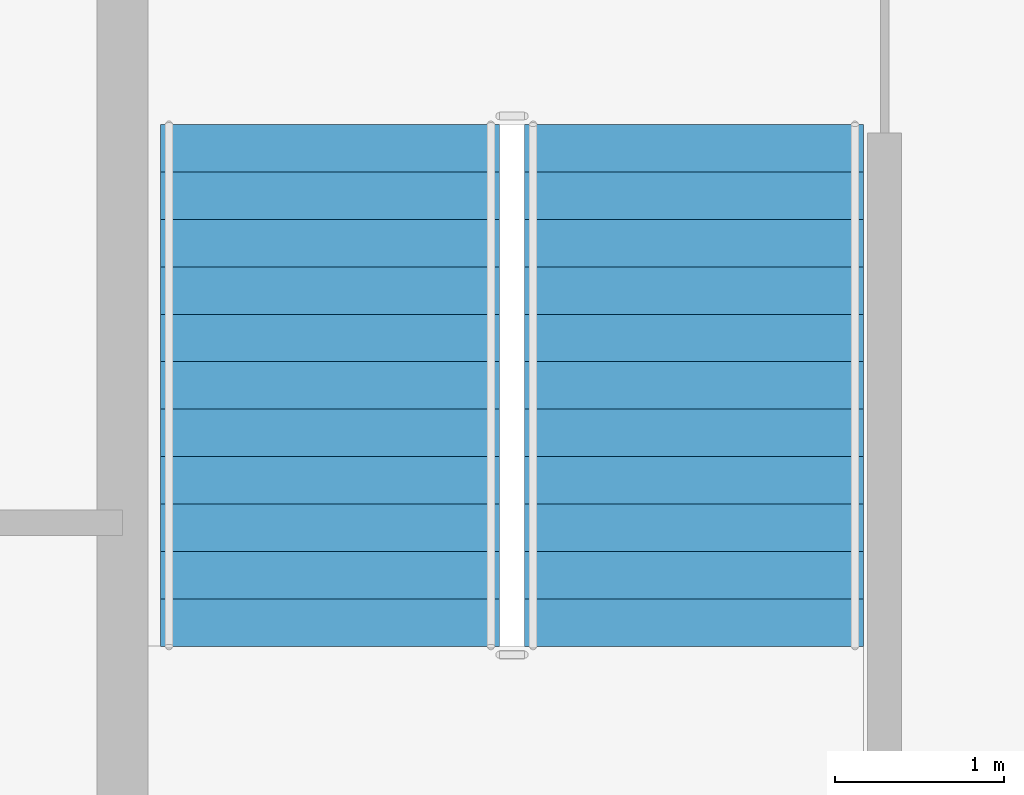
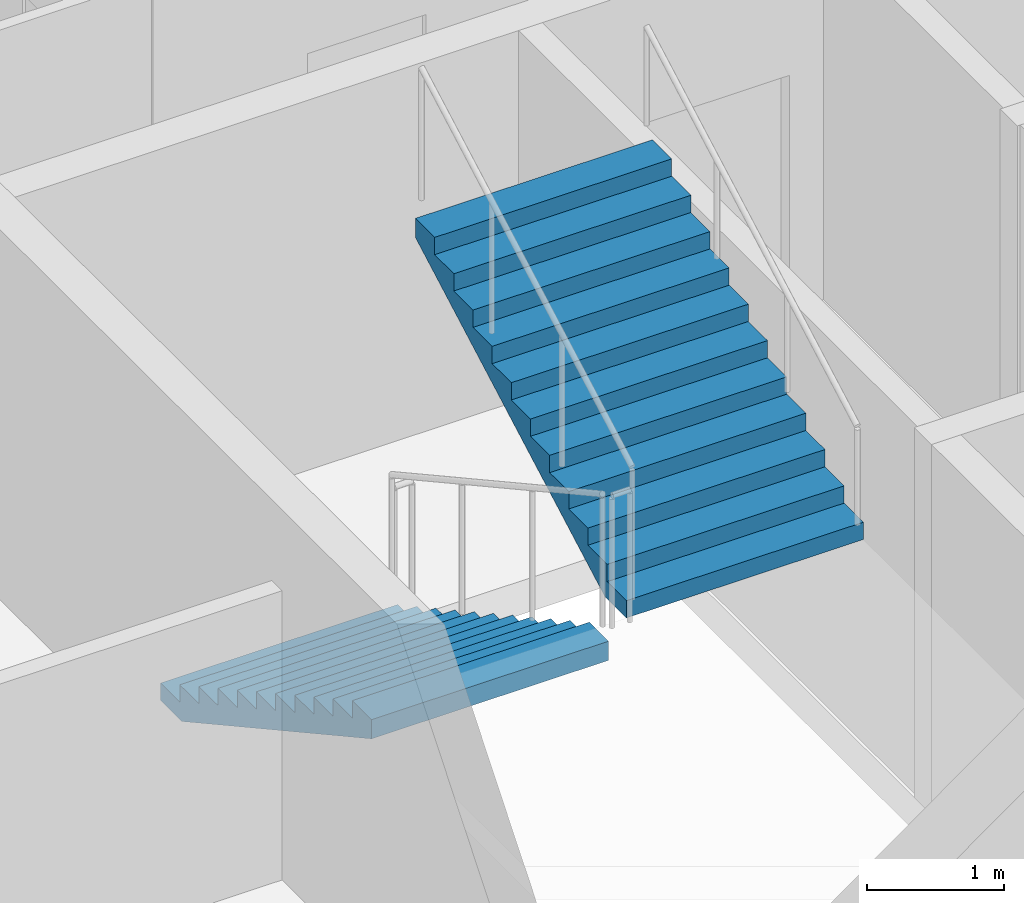
# One storey, part 8 of 11: 2 stair flights, 1 element without a shape of its own.
"""IFC4 building model written with IfcOpenShell, lengths in metres."""

import ifcopenshell
import ifcopenshell.guid

model = None  # the IFC model being written
_history = None  # IfcOwnerHistory: only IFC2X3 demands one
_inside = {}  # id of a spatial element -> (the spatial element, [elements in it])
_under = {}  # id of a project, library or spatial element -> (it, [spatial elements below it])
_declared = {}  # id of a project -> (the project, [libraries it declares])
_typed = {}  # id of a type object -> (the type object, [elements of that type])
_made_of = {}  # id of a material, layer set ... -> (it, [elements and type objects made of it])


def new_model(schema):
    """Start an empty IFC model of exactly this schema.

    Asked for "IFC4X3", IfcOpenShell would pick the latest addendum, in which some entities
    have other attributes; the version numbers below select the first issue.
    IFC2X3 requires an IfcOwnerHistory on every rooted entity: one is made here for all.
    """
    global model, _history
    if schema == "IFC4X3":
        model = ifcopenshell.file(schema_version=(4, 3, 0, 0))
    else:
        model = ifcopenshell.file(schema=schema)
    _inside.clear()
    _under.clear()
    _declared.clear()
    _typed.clear()
    _made_of.clear()
    _history = None
    if model.schema == "IFC2X3":
        org = make("IfcOrganization", Name="unknown")
        user = make(
            "IfcPersonAndOrganization",
            ThePerson=make("IfcPerson", FamilyName="unknown"),
            TheOrganization=org,
        )
        app = make(
            "IfcApplication",
            ApplicationDeveloper=org,
            Version="unknown",
            ApplicationFullName="unknown",
            ApplicationIdentifier="unknown",
        )
        _history = make(
            "IfcOwnerHistory",
            OwningUser=user,
            OwningApplication=app,
            ChangeAction="ADDED",
            CreationDate=0,
        )
    return model


def make(cls, **values):
    """One entity of the class cls with the attributes given. An attribute that is None is left unset."""
    return model.create_entity(
        cls, **{name: value for name, value in values.items() if value is not None}
    )


def rooted(cls, **values):
    """An entity with a GlobalId (a new one), such as an element, a storey or a relation."""
    return make(cls, GlobalId=ifcopenshell.guid.new(), OwnerHistory=_history, **values)


def si_unit(unit_type, name, prefix=None):
    """IfcSIUnit, for example si_unit("LENGTHUNIT", "METRE", prefix="MILLI")."""
    return make("IfcSIUnit", UnitType=unit_type, Prefix=prefix, Name=name)


def assignment(units):
    """IfcUnitAssignment: the units of a project."""
    return None if units is None else make("IfcUnitAssignment", Units=units)


def point(xyz):
    """IfcCartesianPoint."""
    return None if xyz is None else make("IfcCartesianPoint", Coordinates=xyz)


def direction(xyz):
    """IfcDirection."""
    return None if xyz is None else make("IfcDirection", DirectionRatios=xyz)


def frame(location, z_axis=None, x_axis=None):
    """IfcAxis2Placement3D, a coordinate frame: its origin and axes. An axis left out is left unset."""
    return make(
        "IfcAxis2Placement3D",
        Location=point(location),
        Axis=direction(z_axis),
        RefDirection=direction(x_axis),
    )


def origin():
    """The frame at (0, 0, 0) with its axes left unset."""
    return frame((0.0, 0.0, 0.0))


def place(relative_to, where):
    """IfcLocalPlacement: puts the frame where relative to a parent placement (None: the world)."""
    return make(
        "IfcLocalPlacement", PlacementRelTo=relative_to, RelativePlacement=where
    )


def context(
    kind, dimensions, precision=None, world=None, true_north=None, identifier=None
):
    """IfcGeometricRepresentationContext, for example the 3D "Model" context."""
    return make(
        "IfcGeometricRepresentationContext",
        ContextIdentifier=identifier,
        ContextType=kind,
        CoordinateSpaceDimension=dimensions,
        Precision=precision,
        WorldCoordinateSystem=world,
        TrueNorth=true_north,
    )


def subcontext(parent, identifier, kind, view, scale=None):
    """IfcGeometricRepresentationSubContext, for example "Body" below "Model"."""
    return make(
        "IfcGeometricRepresentationSubContext",
        ContextIdentifier=identifier,
        ContextType=kind,
        ParentContext=parent,
        TargetScale=scale,
        TargetView=view,
    )


def project(units=None, contexts=None):
    """IfcProject with its units and contexts."""
    return rooted(
        "IfcProject",
        Name="project",
        RepresentationContexts=contexts,
        UnitsInContext=assignment(units),
    )


def spatial(cls, under=None, at=None, **own):
    """A site, building, storey or space (cls), placed at a placement, below another one or the project."""
    s = rooted(cls, ObjectPlacement=at, **own)
    if under is not None:
        _under.setdefault(under.id(), (under, []))[1].append(s)
    return s


def point_list(points):
    """IfcCartesianPointList2D or 3D."""
    cls = (
        "IfcCartesianPointList2D" if len(points[0]) == 2 else "IfcCartesianPointList3D"
    )
    return make(cls, CoordList=points)


def polygons(points, faces, closed=None, point_numbers=None):
    """IfcPolygonalFaceSet: a face is its outer loop, then its inner loops; points numbered from 1."""
    made = []
    for loops in faces:
        if len(loops) == 1:
            made.append(make("IfcIndexedPolygonalFace", CoordIndex=loops[0]))
        else:
            made.append(
                make(
                    "IfcIndexedPolygonalFaceWithVoids",
                    CoordIndex=loops[0],
                    InnerCoordIndices=loops[1:],
                )
            )
    return make(
        "IfcPolygonalFaceSet",
        Coordinates=point_list(points),
        Closed=closed,
        Faces=made,
        PnIndex=point_numbers,
    )


def shape(context_of_items, identifier, shape_type, items):
    """IfcShapeRepresentation: the items that make up one representation, for example the "Body"."""
    return make(
        "IfcShapeRepresentation",
        ContextOfItems=context_of_items,
        RepresentationIdentifier=identifier,
        RepresentationType=shape_type,
        Items=items,
    )


def material(Name=None, Category=None):
    """IfcMaterial."""
    return make("IfcMaterial", Name=Name, Category=Category)


def made_of(thing, what):
    """Note that an element or type object is made of a material, layer set ...; save() writes the relation."""
    if what is not None:
        _made_of.setdefault(what.id(), (what, []))[1].append(thing)
    return thing


def type_object(cls, material=None, **own):
    """A type object (cls), such as IfcWallType, which elements share."""
    return made_of(rooted(cls, **own), material)


def element(
    cls,
    number,
    at=None,
    inside=None,
    cuts=None,
    type_object=None,
    material=None,
    context=None,
    identifier="Body",
    shape_type=None,
    held_by="IfcProductDefinitionShape",
    body=None,
    shapes=None,
    **own,
):
    """One element of the class cls, such as IfcWall. Its Tag is "e" and its number.

    at: its placement. inside: the storey or other place that contains it. cuts: it is an
    opening in that element (IfcRelVoidsElement). A single representation is given by context,
    identifier, shape_type and body (its items); several are given by shapes. held_by: the class
    of the entity that holds the representations. save() writes the other relations.
    """
    e = rooted(cls, Tag="e%d" % number, ObjectPlacement=at, **own)
    if body is not None:
        shapes = [shape(context, identifier, shape_type, body)]
    if shapes is not None:
        e.Representation = make(held_by, Representations=shapes)
    if inside is not None:
        _inside.setdefault(inside.id(), (inside, []))[1].append(e)
    if cuts is not None:
        rooted(
            "IfcRelVoidsElement", RelatingBuildingElement=cuts, RelatedOpeningElement=e
        )
    if type_object is not None:
        _typed.setdefault(type_object.id(), (type_object, []))[1].append(e)
    return made_of(e, material)


def aggregate(whole, parts):
    """IfcRelAggregates: a whole, such as a stair, and the parts it consists of."""
    return rooted("IfcRelAggregates", RelatingObject=whole, RelatedObjects=parts)


def save(model, path):
    """Write the relations noted so far, then the file.

    IfcRelAggregates (storeys below a building ...), IfcRelContainedInSpatialStructure (elements
    in a storey), IfcRelDefinesByType, IfcRelAssociatesMaterial and IfcRelDeclares: one each for
    every whole, place, type object, material and project.
    """
    for whole, parts in _under.values():
        aggregate(whole, parts)
    for where, things in _inside.values():
        rooted(
            "IfcRelContainedInSpatialStructure",
            RelatedElements=things,
            RelatingStructure=where,
        )
    for kind, things in _typed.values():
        rooted("IfcRelDefinesByType", RelatedObjects=things, RelatingType=kind)
    for what, things in _made_of.values():
        rooted("IfcRelAssociatesMaterial", RelatedObjects=things, RelatingMaterial=what)
    for by, libraries in _declared.values():
        rooted("IfcRelDeclares", RelatingContext=by, RelatedDefinitions=libraries)
    model.write(path)


model = new_model("IFC4")

# Units and contexts
model_context = context("Model", 3, precision=1e-05, world=origin(), true_north=direction((0.0, 1.0)))
body_context = subcontext(model_context, "Body", "Model", "MODEL_VIEW")
ifc_project = project(units=[si_unit("LENGTHUNIT", "METRE"), si_unit("AREAUNIT", "SQUARE_METRE"), si_unit("VOLUMEUNIT", "CUBIC_METRE"), si_unit("PLANEANGLEUNIT", "RADIAN"), si_unit("MASSUNIT", "GRAM", prefix="KILO")], contexts=[model_context])

# Site, building, storey
site_placement = place(None, origin())
site = spatial("IfcSite", under=ifc_project, at=site_placement, CompositionType="ELEMENT")
building_placement = place(site_placement, origin())
building = spatial("IfcBuilding", under=site, at=building_placement, Name="Caravel Reach Hotel and Residences", CompositionType="ELEMENT")
storey_placement = place(building_placement, frame((0.0, 0.0, 229.39990234375)))
storey = spatial("IfcBuildingStorey", under=building, at=storey_placement, Name="L58", CompositionType="ELEMENT", Elevation=229.39990234375)

# Stair, stair flights
ifc_material_1 = material(Name="Concrete C40", Category="concrete")
stair_type = type_object("IfcStairType", Name="Core stair", PredefinedType="HALF_TURN_STAIR", material=ifc_material_1)
stair_placement = place(storey_placement, origin())
stair = element("IfcStair", 1, at=stair_placement, inside=storey, type_object=stair_type, Name="L58 Exit stair A", PredefinedType="HALF_TURN_STAIR")
ifc_material_2 = material(Name="Concrete C40", Category="concrete")
stair_flight_type = type_object("IfcStairFlightType", Name="Core stair flight", PredefinedType="STRAIGHT", material=ifc_material_2)
stair_flight_1_placement = place(storey_placement, frame((19.22509765625, 29.35009765625, 0.0), z_axis=(0.0, 0.0, 1.0), x_axis=(0.0, -1.0, 0.0)))
stair_flight_1 = element("IfcStairFlight", 2, at=stair_flight_1_placement, type_object=stair_flight_type, Name="ST-A flight 1", NumberOfRisers=12, NumberOfTreads=11, PredefinedType="STRAIGHT", RiserHeight=0.154166667, TreadLength=0.28, context=body_context, shape_type="Tessellation", body=[
    polygons([(0.3107950034306102, 1.0, 0.0), (0.3107950034306102, 0.6666666666666667, 0.0), (0.3107950034306102, 0.33333333333333337, 0.0), (0.3107950034306102, 0.0, 0.0), (0.3107950034306102, -0.33333333333333326, 0.0), (0.3107950034306102, -0.6666666666666667, 0.0), (0.3107950034306102, -1.0, 0.0), (3.081, 1.0, 1.524711087717319), (3.081, 0.6666666666666667, 1.524711087717319), (3.081, 0.33333333333333337, 1.524711087717319), (3.081, 0.0, 1.524711087717319), (3.081, -0.33333333333333326, 1.524711087717319), (3.081, -0.6666666666666667, 1.524711087717319), (3.081, -1.0, 1.524711087717319), (3.081, 1.0, 1.695833337), (3.081, 0.6666666666666667, 1.695833337), (3.081, 0.33333333333333337, 1.695833337), (3.081, 0.0, 1.695833337), (3.081, -0.33333333333333326, 1.695833337), (3.081, -0.6666666666666667, 1.695833337), (3.081, -1.0, 1.695833337), (2.8000000000000003, 1.0, 1.695833337), (2.8000000000000003, 0.6666666666666667, 1.695833337), (2.8000000000000003, 0.33333333333333337, 1.695833337), (2.8000000000000003, 0.0, 1.695833337), (2.8000000000000003, -0.33333333333333326, 1.695833337), (2.8000000000000003, -0.6666666666666667, 1.695833337), (2.8000000000000003, -1.0, 1.695833337), (2.8000000000000003, 1.0, 1.5416666700000001), (2.8000000000000003, 0.6666666666666667, 1.5416666700000001), (2.8000000000000003, 0.33333333333333337, 1.5416666700000001), (2.8000000000000003, 0.0, 1.5416666700000001), (2.8000000000000003, -0.33333333333333326, 1.5416666700000001), (2.8000000000000003, -0.6666666666666667, 1.5416666700000001), (2.8000000000000003, -1.0, 1.5416666700000001), (2.5200000000000005, 1.0, 1.5416666700000001), (2.5200000000000005, 0.6666666666666667, 1.5416666700000001), (2.5200000000000005, 0.33333333333333337, 1.5416666700000001), (2.5200000000000005, 0.0, 1.5416666700000001), (2.5200000000000005, -0.33333333333333326, 1.5416666700000001), (2.5200000000000005, -0.6666666666666667, 1.5416666700000001), (2.5200000000000005, -1.0, 1.5416666700000001), (2.5200000000000005, 1.0, 1.387500003), (2.5200000000000005, 0.6666666666666667, 1.387500003), (2.5200000000000005, 0.33333333333333337, 1.387500003), (2.5200000000000005, 0.0, 1.387500003), (2.5200000000000005, -0.33333333333333326, 1.387500003), (2.5200000000000005, -0.6666666666666667, 1.387500003), (2.5200000000000005, -1.0, 1.387500003), (2.24, 1.0, 1.387500003), (2.24, 0.6666666666666667, 1.387500003), (2.24, 0.33333333333333337, 1.387500003), (2.24, 0.0, 1.387500003), (2.24, -0.33333333333333326, 1.387500003), (2.24, -0.6666666666666667, 1.387500003), (2.24, -1.0, 1.387500003), (2.24, 1.0, 1.233333336), (2.24, 0.6666666666666667, 1.233333336), (2.24, 0.33333333333333337, 1.233333336), (2.24, 0.0, 1.233333336), (2.24, -0.33333333333333326, 1.233333336), (2.24, -0.6666666666666667, 1.233333336), (2.24, -1.0, 1.233333336), (1.9600000000000002, 1.0, 1.233333336), (1.9600000000000002, 0.6666666666666667, 1.233333336), (1.9600000000000002, 0.33333333333333337, 1.233333336), (1.9600000000000002, 0.0, 1.233333336), (1.9600000000000002, -0.33333333333333326, 1.233333336), (1.9600000000000002, -0.6666666666666667, 1.233333336), (1.9600000000000002, -1.0, 1.233333336), (1.9600000000000002, 1.0, 1.0791666690000001), (1.9600000000000002, 0.6666666666666667, 1.0791666690000001), (1.9600000000000002, 0.33333333333333337, 1.0791666690000001), (1.9600000000000002, 0.0, 1.0791666690000001), (1.9600000000000002, -0.33333333333333326, 1.0791666690000001), (1.9600000000000002, -0.6666666666666667, 1.0791666690000001), (1.9600000000000002, -1.0, 1.0791666690000001), (1.6800000000000002, 1.0, 1.0791666690000001), (1.6800000000000002, 0.6666666666666667, 1.0791666690000001), (1.6800000000000002, 0.33333333333333337, 1.0791666690000001), (1.6800000000000002, 0.0, 1.0791666690000001), (1.6800000000000002, -0.33333333333333326, 1.0791666690000001), (1.6800000000000002, -0.6666666666666667, 1.0791666690000001), (1.6800000000000002, -1.0, 1.0791666690000001), (1.6800000000000002, 1.0, 0.925000002), (1.6800000000000002, 0.6666666666666667, 0.925000002), (1.6800000000000002, 0.33333333333333337, 0.925000002), (1.6800000000000002, 0.0, 0.925000002), (1.6800000000000002, -0.33333333333333326, 0.925000002), (1.6800000000000002, -0.6666666666666667, 0.925000002), (1.6800000000000002, -1.0, 0.925000002), (1.4000000000000001, 1.0, 0.925000002), (1.4000000000000001, 0.6666666666666667, 0.925000002), (1.4000000000000001, 0.33333333333333337, 0.925000002), (1.4000000000000001, 0.0, 0.925000002), (1.4000000000000001, -0.33333333333333326, 0.925000002), (1.4000000000000001, -0.6666666666666667, 0.925000002), (1.4000000000000001, -1.0, 0.925000002), (1.4000000000000001, 1.0, 0.7708333350000001), (1.4000000000000001, 0.6666666666666667, 0.7708333350000001), (1.4000000000000001, 0.33333333333333337, 0.7708333350000001), (1.4000000000000001, 0.0, 0.7708333350000001), (1.4000000000000001, -0.33333333333333326, 0.7708333350000001), (1.4000000000000001, -0.6666666666666667, 0.7708333350000001), (1.4000000000000001, -1.0, 0.7708333350000001), (1.12, 1.0, 0.7708333350000001), (1.12, 0.6666666666666667, 0.7708333350000001), (1.12, 0.33333333333333337, 0.7708333350000001), (1.12, 0.0, 0.7708333350000001), (1.12, -0.33333333333333326, 0.7708333350000001), (1.12, -0.6666666666666667, 0.7708333350000001), (1.12, -1.0, 0.7708333350000001), (1.12, 1.0, 0.616666668), (1.12, 0.6666666666666667, 0.616666668), (1.12, 0.33333333333333337, 0.616666668), (1.12, 0.0, 0.616666668), (1.12, -0.33333333333333326, 0.616666668), (1.12, -0.6666666666666667, 0.616666668), (1.12, -1.0, 0.616666668), (0.8400000000000001, 1.0, 0.616666668), (0.8400000000000001, 0.6666666666666667, 0.616666668), (0.8400000000000001, 0.33333333333333337, 0.616666668), (0.8400000000000001, 0.0, 0.616666668), (0.8400000000000001, -0.33333333333333326, 0.616666668), (0.8400000000000001, -0.6666666666666667, 0.616666668), (0.8400000000000001, -1.0, 0.616666668), (0.8400000000000001, 1.0, 0.462500001), (0.8400000000000001, 0.6666666666666667, 0.462500001), (0.8400000000000001, 0.33333333333333337, 0.462500001), (0.8400000000000001, 0.0, 0.462500001), (0.8400000000000001, -0.33333333333333326, 0.462500001), (0.8400000000000001, -0.6666666666666667, 0.462500001), (0.8400000000000001, -1.0, 0.462500001), (0.56, 1.0, 0.462500001), (0.56, 0.6666666666666667, 0.462500001), (0.56, 0.33333333333333337, 0.462500001), (0.56, 0.0, 0.462500001), (0.56, -0.33333333333333326, 0.462500001), (0.56, -0.6666666666666667, 0.462500001), (0.56, -1.0, 0.462500001), (0.56, 1.0, 0.308333334), (0.56, 0.6666666666666667, 0.308333334), (0.56, 0.33333333333333337, 0.308333334), (0.56, 0.0, 0.308333334), (0.56, -0.33333333333333326, 0.308333334), (0.56, -0.6666666666666667, 0.308333334), (0.56, -1.0, 0.308333334), (0.28, 1.0, 0.308333334), (0.28, 0.6666666666666667, 0.308333334), (0.28, 0.33333333333333337, 0.308333334), (0.28, 0.0, 0.308333334), (0.28, -0.33333333333333326, 0.308333334), (0.28, -0.6666666666666667, 0.308333334), (0.28, -1.0, 0.308333334), (0.28, 1.0, 0.154166667), (0.28, 0.6666666666666667, 0.154166667), (0.28, 0.33333333333333337, 0.154166667), (0.28, 0.0, 0.154166667), (0.28, -0.33333333333333326, 0.154166667), (0.28, -0.6666666666666667, 0.154166667), (0.28, -1.0, 0.154166667), (-0.001, 1.0, 0.154166667), (-0.001, 0.6666666666666667, 0.154166667), (-0.001, 0.33333333333333337, 0.154166667), (-0.001, 0.0, 0.154166667), (-0.001, -0.33333333333333326, 0.154166667), (-0.001, -0.6666666666666667, 0.154166667), (-0.001, -1.0, 0.154166667), (-0.001, 1.0, 0.0), (-0.001, 0.6666666666666667, 0.0), (-0.001, 0.33333333333333337, 0.0), (-0.001, 0.0, 0.0), (-0.001, -0.33333333333333326, 0.0), (-0.001, -0.6666666666666667, 0.0), (-0.001, -1.0, 0.0)], [[[169, 162, 155, 148, 141, 134, 127, 120, 113, 106, 99, 92, 85, 78, 71, 64, 57, 50, 43, 36, 29, 22, 15, 8, 1]], [[7, 14, 21, 28, 35, 42, 49, 56, 63, 70, 77, 84, 91, 98, 105, 112, 119, 126, 133, 140, 147, 154, 161, 168, 175]], [[1, 8, 9, 2]], [[2, 9, 10, 3]], [[3, 10, 11, 4]], [[4, 11, 12, 5]], [[5, 12, 13, 6]], [[6, 13, 14, 7]], [[8, 15, 16, 9]], [[9, 16, 17, 10]], [[10, 17, 18, 11]], [[11, 18, 19, 12]], [[12, 19, 20, 13]], [[13, 20, 21, 14]], [[15, 22, 23, 16]], [[16, 23, 24, 17]], [[17, 24, 25, 18]], [[18, 25, 26, 19]], [[19, 26, 27, 20]], [[20, 27, 28, 21]], [[22, 29, 30, 23]], [[23, 30, 31, 24]], [[24, 31, 32, 25]], [[25, 32, 33, 26]], [[26, 33, 34, 27]], [[27, 34, 35, 28]], [[29, 36, 37, 30]], [[30, 37, 38, 31]], [[31, 38, 39, 32]], [[32, 39, 40, 33]], [[33, 40, 41, 34]], [[34, 41, 42, 35]], [[36, 43, 44, 37]], [[37, 44, 45, 38]], [[38, 45, 46, 39]], [[39, 46, 47, 40]], [[40, 47, 48, 41]], [[41, 48, 49, 42]], [[43, 50, 51, 44]], [[44, 51, 52, 45]], [[45, 52, 53, 46]], [[46, 53, 54, 47]], [[47, 54, 55, 48]], [[48, 55, 56, 49]], [[50, 57, 58, 51]], [[51, 58, 59, 52]], [[52, 59, 60, 53]], [[53, 60, 61, 54]], [[54, 61, 62, 55]], [[55, 62, 63, 56]], [[57, 64, 65, 58]], [[58, 65, 66, 59]], [[59, 66, 67, 60]], [[60, 67, 68, 61]], [[61, 68, 69, 62]], [[62, 69, 70, 63]], [[64, 71, 72, 65]], [[65, 72, 73, 66]], [[66, 73, 74, 67]], [[67, 74, 75, 68]], [[68, 75, 76, 69]], [[69, 76, 77, 70]], [[71, 78, 79, 72]], [[72, 79, 80, 73]], [[73, 80, 81, 74]], [[74, 81, 82, 75]], [[75, 82, 83, 76]], [[76, 83, 84, 77]], [[78, 85, 86, 79]], [[79, 86, 87, 80]], [[80, 87, 88, 81]], [[81, 88, 89, 82]], [[82, 89, 90, 83]], [[83, 90, 91, 84]], [[85, 92, 93, 86]], [[86, 93, 94, 87]], [[87, 94, 95, 88]], [[88, 95, 96, 89]], [[89, 96, 97, 90]], [[90, 97, 98, 91]], [[92, 99, 100, 93]], [[93, 100, 101, 94]], [[94, 101, 102, 95]], [[95, 102, 103, 96]], [[96, 103, 104, 97]], [[97, 104, 105, 98]], [[99, 106, 107, 100]], [[100, 107, 108, 101]], [[101, 108, 109, 102]], [[102, 109, 110, 103]], [[103, 110, 111, 104]], [[104, 111, 112, 105]], [[106, 113, 114, 107]], [[107, 114, 115, 108]], [[108, 115, 116, 109]], [[109, 116, 117, 110]], [[110, 117, 118, 111]], [[111, 118, 119, 112]], [[113, 120, 121, 114]], [[114, 121, 122, 115]], [[115, 122, 123, 116]], [[116, 123, 124, 117]], [[117, 124, 125, 118]], [[118, 125, 126, 119]], [[120, 127, 128, 121]], [[121, 128, 129, 122]], [[122, 129, 130, 123]], [[123, 130, 131, 124]], [[124, 131, 132, 125]], [[125, 132, 133, 126]], [[127, 134, 135, 128]], [[128, 135, 136, 129]], [[129, 136, 137, 130]], [[130, 137, 138, 131]], [[131, 138, 139, 132]], [[132, 139, 140, 133]], [[134, 141, 142, 135]], [[135, 142, 143, 136]], [[136, 143, 144, 137]], [[137, 144, 145, 138]], [[138, 145, 146, 139]], [[139, 146, 147, 140]], [[141, 148, 149, 142]], [[142, 149, 150, 143]], [[143, 150, 151, 144]], [[144, 151, 152, 145]], [[145, 152, 153, 146]], [[146, 153, 154, 147]], [[148, 155, 156, 149]], [[149, 156, 157, 150]], [[150, 157, 158, 151]], [[151, 158, 159, 152]], [[152, 159, 160, 153]], [[153, 160, 161, 154]], [[155, 162, 163, 156]], [[156, 163, 164, 157]], [[157, 164, 165, 158]], [[158, 165, 166, 159]], [[159, 166, 167, 160]], [[160, 167, 168, 161]], [[162, 169, 170, 163]], [[163, 170, 171, 164]], [[164, 171, 172, 165]], [[165, 172, 173, 166]], [[166, 173, 174, 167]], [[167, 174, 175, 168]], [[169, 1, 2, 170]], [[170, 2, 3, 171]], [[171, 3, 4, 172]], [[172, 4, 5, 173]], [[173, 5, 6, 174]], [[174, 6, 7, 175]]], closed=True),
])
stair_flight_2_placement = place(storey_placement, frame((21.375, 26.27001953125, 1.85009765625), z_axis=(0.0, 0.0, 1.0), x_axis=(0.0, 1.0, 0.0)))
stair_flight_2 = element("IfcStairFlight", 3, at=stair_flight_2_placement, type_object=stair_flight_type, Name="ST-A flight 2", NumberOfRisers=12, NumberOfTreads=11, PredefinedType="STRAIGHT", RiserHeight=0.154166667, TreadLength=0.28, context=body_context, shape_type="Tessellation", body=[
    polygons([(0.3107950034306102, 1.0, 0.0), (0.3107950034306102, 0.6666666666666667, 0.0), (0.3107950034306102, 0.33333333333333337, 0.0), (0.3107950034306102, 0.0, 0.0), (0.3107950034306102, -0.33333333333333326, 0.0), (0.3107950034306102, -0.6666666666666667, 0.0), (0.3107950034306102, -1.0, 0.0), (3.081, 1.0, 1.524711087717319), (3.081, 0.6666666666666667, 1.524711087717319), (3.081, 0.33333333333333337, 1.524711087717319), (3.081, 0.0, 1.524711087717319), (3.081, -0.33333333333333326, 1.524711087717319), (3.081, -0.6666666666666667, 1.524711087717319), (3.081, -1.0, 1.524711087717319), (3.081, 1.0, 1.695833337), (3.081, 0.6666666666666667, 1.695833337), (3.081, 0.33333333333333337, 1.695833337), (3.081, 0.0, 1.695833337), (3.081, -0.33333333333333326, 1.695833337), (3.081, -0.6666666666666667, 1.695833337), (3.081, -1.0, 1.695833337), (2.8000000000000003, 1.0, 1.695833337), (2.8000000000000003, 0.6666666666666667, 1.695833337), (2.8000000000000003, 0.33333333333333337, 1.695833337), (2.8000000000000003, 0.0, 1.695833337), (2.8000000000000003, -0.33333333333333326, 1.695833337), (2.8000000000000003, -0.6666666666666667, 1.695833337), (2.8000000000000003, -1.0, 1.695833337), (2.8000000000000003, 1.0, 1.5416666700000001), (2.8000000000000003, 0.6666666666666667, 1.5416666700000001), (2.8000000000000003, 0.33333333333333337, 1.5416666700000001), (2.8000000000000003, 0.0, 1.5416666700000001), (2.8000000000000003, -0.33333333333333326, 1.5416666700000001), (2.8000000000000003, -0.6666666666666667, 1.5416666700000001), (2.8000000000000003, -1.0, 1.5416666700000001), (2.5200000000000005, 1.0, 1.5416666700000001), (2.5200000000000005, 0.6666666666666667, 1.5416666700000001), (2.5200000000000005, 0.33333333333333337, 1.5416666700000001), (2.5200000000000005, 0.0, 1.5416666700000001), (2.5200000000000005, -0.33333333333333326, 1.5416666700000001), (2.5200000000000005, -0.6666666666666667, 1.5416666700000001), (2.5200000000000005, -1.0, 1.5416666700000001), (2.5200000000000005, 1.0, 1.387500003), (2.5200000000000005, 0.6666666666666667, 1.387500003), (2.5200000000000005, 0.33333333333333337, 1.387500003), (2.5200000000000005, 0.0, 1.387500003), (2.5200000000000005, -0.33333333333333326, 1.387500003), (2.5200000000000005, -0.6666666666666667, 1.387500003), (2.5200000000000005, -1.0, 1.387500003), (2.24, 1.0, 1.387500003), (2.24, 0.6666666666666667, 1.387500003), (2.24, 0.33333333333333337, 1.387500003), (2.24, 0.0, 1.387500003), (2.24, -0.33333333333333326, 1.387500003), (2.24, -0.6666666666666667, 1.387500003), (2.24, -1.0, 1.387500003), (2.24, 1.0, 1.233333336), (2.24, 0.6666666666666667, 1.233333336), (2.24, 0.33333333333333337, 1.233333336), (2.24, 0.0, 1.233333336), (2.24, -0.33333333333333326, 1.233333336), (2.24, -0.6666666666666667, 1.233333336), (2.24, -1.0, 1.233333336), (1.9600000000000002, 1.0, 1.233333336), (1.9600000000000002, 0.6666666666666667, 1.233333336), (1.9600000000000002, 0.33333333333333337, 1.233333336), (1.9600000000000002, 0.0, 1.233333336), (1.9600000000000002, -0.33333333333333326, 1.233333336), (1.9600000000000002, -0.6666666666666667, 1.233333336), (1.9600000000000002, -1.0, 1.233333336), (1.9600000000000002, 1.0, 1.0791666690000001), (1.9600000000000002, 0.6666666666666667, 1.0791666690000001), (1.9600000000000002, 0.33333333333333337, 1.0791666690000001), (1.9600000000000002, 0.0, 1.0791666690000001), (1.9600000000000002, -0.33333333333333326, 1.0791666690000001), (1.9600000000000002, -0.6666666666666667, 1.0791666690000001), (1.9600000000000002, -1.0, 1.0791666690000001), (1.6800000000000002, 1.0, 1.0791666690000001), (1.6800000000000002, 0.6666666666666667, 1.0791666690000001), (1.6800000000000002, 0.33333333333333337, 1.0791666690000001), (1.6800000000000002, 0.0, 1.0791666690000001), (1.6800000000000002, -0.33333333333333326, 1.0791666690000001), (1.6800000000000002, -0.6666666666666667, 1.0791666690000001), (1.6800000000000002, -1.0, 1.0791666690000001), (1.6800000000000002, 1.0, 0.925000002), (1.6800000000000002, 0.6666666666666667, 0.925000002), (1.6800000000000002, 0.33333333333333337, 0.925000002), (1.6800000000000002, 0.0, 0.925000002), (1.6800000000000002, -0.33333333333333326, 0.925000002), (1.6800000000000002, -0.6666666666666667, 0.925000002), (1.6800000000000002, -1.0, 0.925000002), (1.4000000000000001, 1.0, 0.925000002), (1.4000000000000001, 0.6666666666666667, 0.925000002), (1.4000000000000001, 0.33333333333333337, 0.925000002), (1.4000000000000001, 0.0, 0.925000002), (1.4000000000000001, -0.33333333333333326, 0.925000002), (1.4000000000000001, -0.6666666666666667, 0.925000002), (1.4000000000000001, -1.0, 0.925000002), (1.4000000000000001, 1.0, 0.7708333350000001), (1.4000000000000001, 0.6666666666666667, 0.7708333350000001), (1.4000000000000001, 0.33333333333333337, 0.7708333350000001), (1.4000000000000001, 0.0, 0.7708333350000001), (1.4000000000000001, -0.33333333333333326, 0.7708333350000001), (1.4000000000000001, -0.6666666666666667, 0.7708333350000001), (1.4000000000000001, -1.0, 0.7708333350000001), (1.12, 1.0, 0.7708333350000001), (1.12, 0.6666666666666667, 0.7708333350000001), (1.12, 0.33333333333333337, 0.7708333350000001), (1.12, 0.0, 0.7708333350000001), (1.12, -0.33333333333333326, 0.7708333350000001), (1.12, -0.6666666666666667, 0.7708333350000001), (1.12, -1.0, 0.7708333350000001), (1.12, 1.0, 0.616666668), (1.12, 0.6666666666666667, 0.616666668), (1.12, 0.33333333333333337, 0.616666668), (1.12, 0.0, 0.616666668), (1.12, -0.33333333333333326, 0.616666668), (1.12, -0.6666666666666667, 0.616666668), (1.12, -1.0, 0.616666668), (0.8400000000000001, 1.0, 0.616666668), (0.8400000000000001, 0.6666666666666667, 0.616666668), (0.8400000000000001, 0.33333333333333337, 0.616666668), (0.8400000000000001, 0.0, 0.616666668), (0.8400000000000001, -0.33333333333333326, 0.616666668), (0.8400000000000001, -0.6666666666666667, 0.616666668), (0.8400000000000001, -1.0, 0.616666668), (0.8400000000000001, 1.0, 0.462500001), (0.8400000000000001, 0.6666666666666667, 0.462500001), (0.8400000000000001, 0.33333333333333337, 0.462500001), (0.8400000000000001, 0.0, 0.462500001), (0.8400000000000001, -0.33333333333333326, 0.462500001), (0.8400000000000001, -0.6666666666666667, 0.462500001), (0.8400000000000001, -1.0, 0.462500001), (0.56, 1.0, 0.462500001), (0.56, 0.6666666666666667, 0.462500001), (0.56, 0.33333333333333337, 0.462500001), (0.56, 0.0, 0.462500001), (0.56, -0.33333333333333326, 0.462500001), (0.56, -0.6666666666666667, 0.462500001), (0.56, -1.0, 0.462500001), (0.56, 1.0, 0.308333334), (0.56, 0.6666666666666667, 0.308333334), (0.56, 0.33333333333333337, 0.308333334), (0.56, 0.0, 0.308333334), (0.56, -0.33333333333333326, 0.308333334), (0.56, -0.6666666666666667, 0.308333334), (0.56, -1.0, 0.308333334), (0.28, 1.0, 0.308333334), (0.28, 0.6666666666666667, 0.308333334), (0.28, 0.33333333333333337, 0.308333334), (0.28, 0.0, 0.308333334), (0.28, -0.33333333333333326, 0.308333334), (0.28, -0.6666666666666667, 0.308333334), (0.28, -1.0, 0.308333334), (0.28, 1.0, 0.154166667), (0.28, 0.6666666666666667, 0.154166667), (0.28, 0.33333333333333337, 0.154166667), (0.28, 0.0, 0.154166667), (0.28, -0.33333333333333326, 0.154166667), (0.28, -0.6666666666666667, 0.154166667), (0.28, -1.0, 0.154166667), (-0.001, 1.0, 0.154166667), (-0.001, 0.6666666666666667, 0.154166667), (-0.001, 0.33333333333333337, 0.154166667), (-0.001, 0.0, 0.154166667), (-0.001, -0.33333333333333326, 0.154166667), (-0.001, -0.6666666666666667, 0.154166667), (-0.001, -1.0, 0.154166667), (-0.001, 1.0, 0.0), (-0.001, 0.6666666666666667, 0.0), (-0.001, 0.33333333333333337, 0.0), (-0.001, 0.0, 0.0), (-0.001, -0.33333333333333326, 0.0), (-0.001, -0.6666666666666667, 0.0), (-0.001, -1.0, 0.0)], [[[169, 162, 155, 148, 141, 134, 127, 120, 113, 106, 99, 92, 85, 78, 71, 64, 57, 50, 43, 36, 29, 22, 15, 8, 1]], [[7, 14, 21, 28, 35, 42, 49, 56, 63, 70, 77, 84, 91, 98, 105, 112, 119, 126, 133, 140, 147, 154, 161, 168, 175]], [[1, 8, 9, 2]], [[2, 9, 10, 3]], [[3, 10, 11, 4]], [[4, 11, 12, 5]], [[5, 12, 13, 6]], [[6, 13, 14, 7]], [[8, 15, 16, 9]], [[9, 16, 17, 10]], [[10, 17, 18, 11]], [[11, 18, 19, 12]], [[12, 19, 20, 13]], [[13, 20, 21, 14]], [[15, 22, 23, 16]], [[16, 23, 24, 17]], [[17, 24, 25, 18]], [[18, 25, 26, 19]], [[19, 26, 27, 20]], [[20, 27, 28, 21]], [[22, 29, 30, 23]], [[23, 30, 31, 24]], [[24, 31, 32, 25]], [[25, 32, 33, 26]], [[26, 33, 34, 27]], [[27, 34, 35, 28]], [[29, 36, 37, 30]], [[30, 37, 38, 31]], [[31, 38, 39, 32]], [[32, 39, 40, 33]], [[33, 40, 41, 34]], [[34, 41, 42, 35]], [[36, 43, 44, 37]], [[37, 44, 45, 38]], [[38, 45, 46, 39]], [[39, 46, 47, 40]], [[40, 47, 48, 41]], [[41, 48, 49, 42]], [[43, 50, 51, 44]], [[44, 51, 52, 45]], [[45, 52, 53, 46]], [[46, 53, 54, 47]], [[47, 54, 55, 48]], [[48, 55, 56, 49]], [[50, 57, 58, 51]], [[51, 58, 59, 52]], [[52, 59, 60, 53]], [[53, 60, 61, 54]], [[54, 61, 62, 55]], [[55, 62, 63, 56]], [[57, 64, 65, 58]], [[58, 65, 66, 59]], [[59, 66, 67, 60]], [[60, 67, 68, 61]], [[61, 68, 69, 62]], [[62, 69, 70, 63]], [[64, 71, 72, 65]], [[65, 72, 73, 66]], [[66, 73, 74, 67]], [[67, 74, 75, 68]], [[68, 75, 76, 69]], [[69, 76, 77, 70]], [[71, 78, 79, 72]], [[72, 79, 80, 73]], [[73, 80, 81, 74]], [[74, 81, 82, 75]], [[75, 82, 83, 76]], [[76, 83, 84, 77]], [[78, 85, 86, 79]], [[79, 86, 87, 80]], [[80, 87, 88, 81]], [[81, 88, 89, 82]], [[82, 89, 90, 83]], [[83, 90, 91, 84]], [[85, 92, 93, 86]], [[86, 93, 94, 87]], [[87, 94, 95, 88]], [[88, 95, 96, 89]], [[89, 96, 97, 90]], [[90, 97, 98, 91]], [[92, 99, 100, 93]], [[93, 100, 101, 94]], [[94, 101, 102, 95]], [[95, 102, 103, 96]], [[96, 103, 104, 97]], [[97, 104, 105, 98]], [[99, 106, 107, 100]], [[100, 107, 108, 101]], [[101, 108, 109, 102]], [[102, 109, 110, 103]], [[103, 110, 111, 104]], [[104, 111, 112, 105]], [[106, 113, 114, 107]], [[107, 114, 115, 108]], [[108, 115, 116, 109]], [[109, 116, 117, 110]], [[110, 117, 118, 111]], [[111, 118, 119, 112]], [[113, 120, 121, 114]], [[114, 121, 122, 115]], [[115, 122, 123, 116]], [[116, 123, 124, 117]], [[117, 124, 125, 118]], [[118, 125, 126, 119]], [[120, 127, 128, 121]], [[121, 128, 129, 122]], [[122, 129, 130, 123]], [[123, 130, 131, 124]], [[124, 131, 132, 125]], [[125, 132, 133, 126]], [[127, 134, 135, 128]], [[128, 135, 136, 129]], [[129, 136, 137, 130]], [[130, 137, 138, 131]], [[131, 138, 139, 132]], [[132, 139, 140, 133]], [[134, 141, 142, 135]], [[135, 142, 143, 136]], [[136, 143, 144, 137]], [[137, 144, 145, 138]], [[138, 145, 146, 139]], [[139, 146, 147, 140]], [[141, 148, 149, 142]], [[142, 149, 150, 143]], [[143, 150, 151, 144]], [[144, 151, 152, 145]], [[145, 152, 153, 146]], [[146, 153, 154, 147]], [[148, 155, 156, 149]], [[149, 156, 157, 150]], [[150, 157, 158, 151]], [[151, 158, 159, 152]], [[152, 159, 160, 153]], [[153, 160, 161, 154]], [[155, 162, 163, 156]], [[156, 163, 164, 157]], [[157, 164, 165, 158]], [[158, 165, 166, 159]], [[159, 166, 167, 160]], [[160, 167, 168, 161]], [[162, 169, 170, 163]], [[163, 170, 171, 164]], [[164, 171, 172, 165]], [[165, 172, 173, 166]], [[166, 173, 174, 167]], [[167, 174, 175, 168]], [[169, 1, 2, 170]], [[170, 2, 3, 171]], [[171, 3, 4, 172]], [[172, 4, 5, 173]], [[173, 5, 6, 174]], [[174, 6, 7, 175]]], closed=True),
])
aggregate(stair, [stair_flight_1, stair_flight_2])

save(model, "model.ifc")
